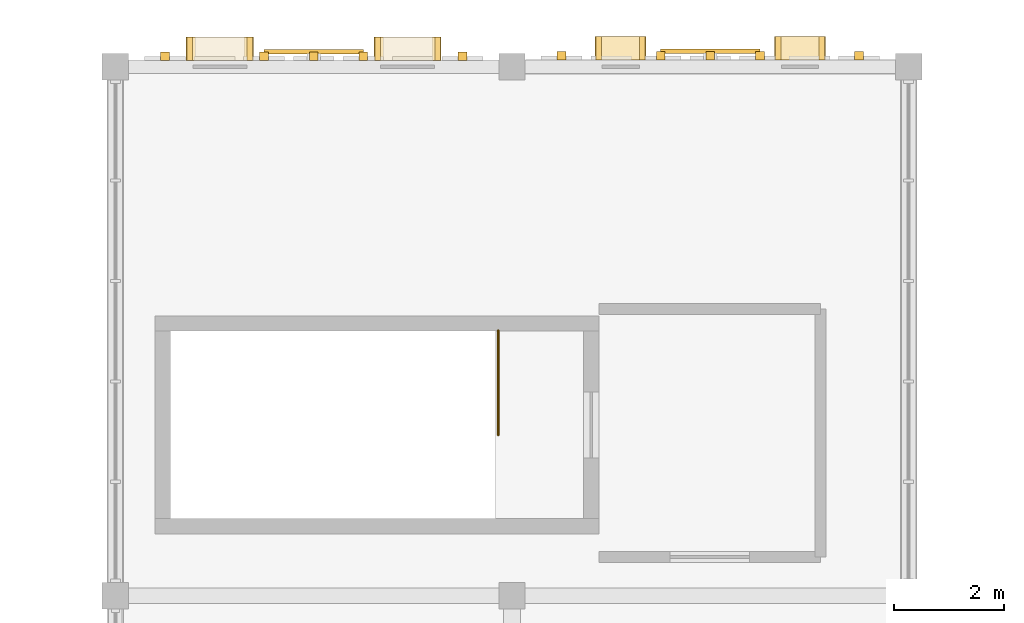
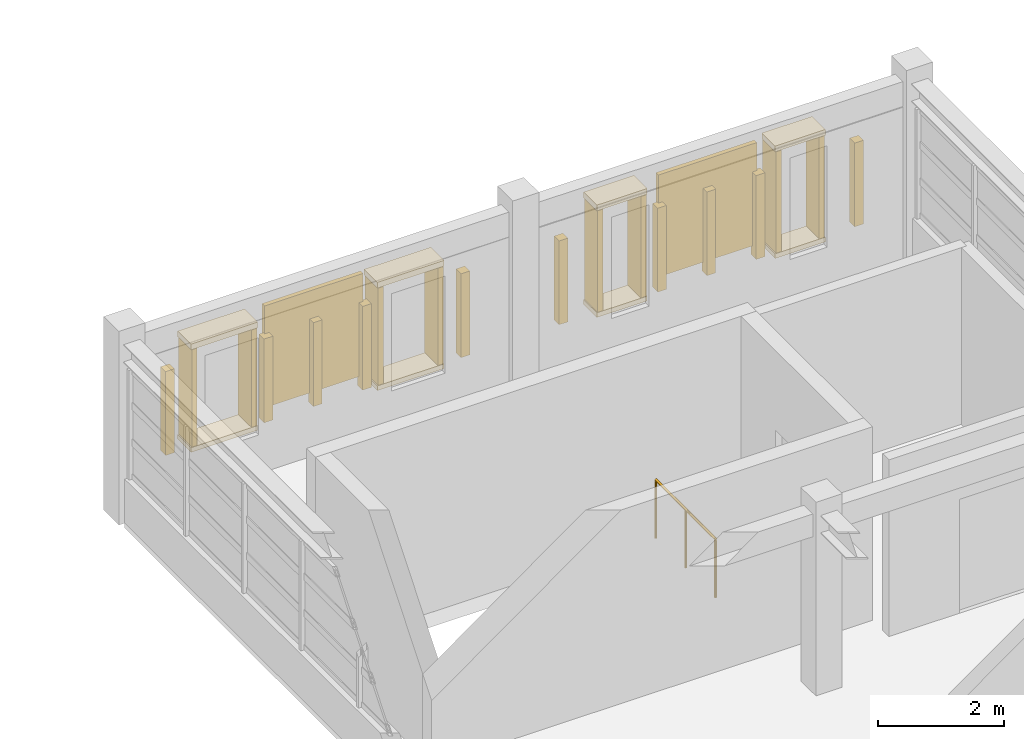
# One storey, part 45 of 53: 26 coverings, 2 shading devices, 1 railing.
"""IFC4 building model written with IfcOpenShell, lengths in metres."""

from ifc_helpers import new_model, si_unit, direction, frame, origin, origin_2d, place, context, subcontext, project, spatial, rectangle, circle, extrude, material, layer, layer_set, type_object, element, save


model = new_model("IFC4")

# Units and contexts
model_context = context("Model", 3, precision=1e-05, world=origin(), true_north=direction((0.0, 1.0)))
body_context = subcontext(model_context, "Body", "Model", "MODEL_VIEW")
ifc_project = project(units=[si_unit("LENGTHUNIT", "METRE"), si_unit("AREAUNIT", "SQUARE_METRE"), si_unit("VOLUMEUNIT", "CUBIC_METRE"), si_unit("PLANEANGLEUNIT", "RADIAN"), si_unit("MASSUNIT", "GRAM", prefix="KILO")], contexts=[model_context])

# Site, building, storey
site_placement = place(None, origin())
site = spatial("IfcSite", under=ifc_project, at=site_placement, CompositionType="ELEMENT")
building_placement = place(site_placement, origin())
building = spatial("IfcBuilding", under=site, at=building_placement, Name="Nzembalo Square Collegiate School", CompositionType="ELEMENT")
storey_placement = place(building_placement, frame((0.0, 0.0, 13.60009765625)))
storey = spatial("IfcBuildingStorey", under=building, at=storey_placement, Name="L03", CompositionType="ELEMENT", Elevation=13.60009765625)

# Coverings
ifc_material_1 = material(Name="Glazed ochre ceramic lancet rib")
ifc_layer_1 = layer(ifc_material_1, 0.159912109375, Name="Glazed ochre ceramic lancet rib")
ifc_layer_set_1 = layer_set([ifc_layer_1], Name="Glazed ochre ceramic lancet rib")
covering_type_1 = type_object("IfcCoveringType", Name="CL02", PredefinedType="CLADDING", material=ifc_layer_set_1)
for number, where, z_axis, x_axis, name in (
    (1, (77.699951171875, 114.1923828125, 0.759765625), (0.0, 0.0, 1.0), (1.0, 0.0, 0.0), "Gothic ceramic rib CL02-X0239-0"),
    (2, (79.5, 114.1923828125, 0.759765625), (0.0, 0.0, 1.0), (1.0, 0.0, 0.0), "Gothic ceramic rib CL02-X0239-2"),
    (3, (80.39990234375, 114.1923828125, 0.759765625), (0.0, 0.0, 1.0), (1.0, 0.0, 0.0), "Gothic ceramic rib CL02-X0239-3"),
    (4, (81.300048828125, 114.1923828125, 0.759765625), (0.0, 0.0, 1.0), (1.0, 0.0, 0.0), "Gothic ceramic rib CL02-X0239-4"),
    (5, (83.10009765625, 114.1923828125, 0.759765625), (0.0, 0.0, 1.0), (1.0, 0.0, 0.0), "Gothic ceramic rib CL02-X0239-6"),
    (6, (84.89990234375, 114.202392578125, 0.759765625), (0.0, 0.0, 1.0), (1.0, 0.0, 0.0), "Gothic ceramic rib CL02-X0240-0"),
    (7, (86.699951171875, 114.202392578125, 0.759765625), (0.0, 0.0, 1.0), (1.0, 0.0, 0.0), "Gothic ceramic rib CL02-X0240-2"),
    (8, (87.60009765625, 114.202392578125, 0.759765625), (0.0, 0.0, 1.0), (1.0, 0.0, 0.0), "Gothic ceramic rib CL02-X0240-3"),
    (9, (88.5, 114.202392578125, 0.759765625), (0.0, 0.0, 1.0), (1.0, 0.0, 0.0), "Gothic ceramic rib CL02-X0240-4"),
    (10, (90.300048828125, 114.202392578125, 0.759765625), (0.0, 0.0, 1.0), (1.0, 0.0, 0.0), "Gothic ceramic rib CL02-X0240-6"),
):
    element("IfcCovering", number, at=place(storey_placement, frame(where, z_axis=z_axis, x_axis=x_axis)), inside=storey, type_object=covering_type_1, Name=name, PredefinedType="CLADDING", context=body_context, shape_type="SweptSolid", body=[
        extrude(rectangle(XDim=0.159912109375, YDim=0.159912109375, at=origin_2d()), origin(), (0.0, 0.0, 1.0), 1.618896484375),
    ])
ifc_material_2 = material(Name="Glazed celadon ceramic window frame")
ifc_layer_2 = layer(ifc_material_2, 0.419921875, Name="Glazed celadon ceramic window frame")
ifc_layer_set_2 = layer_set([ifc_layer_2], Name="Glazed celadon ceramic window frame")
covering_type_2 = type_object("IfcCoveringType", Name="WF01", PredefinedType="CLADDING", material=ifc_layer_set_2)
covering_1_placement = place(storey_placement, frame((78.696044921875, 114.327392578125, 2.634765625), z_axis=(0.0, 0.0, 1.0), x_axis=(1.0, 0.0, 0.0)))
element("IfcCovering", 11, at=covering_1_placement, inside=storey, type_object=covering_type_2, Name="Deep lancet window hood WF01-0781", PredefinedType="CLADDING", context=body_context, shape_type="SweptSolid", body=[
    extrude(rectangle(XDim=1.219970703125, YDim=0.419921875, at=origin_2d()), origin(), (0.0, 0.0, 1.0), 0.110107421875),
])
covering_2_placement = place(storey_placement, frame((78.696044921875, 114.327392578125, 0.65478515625), z_axis=(0.0, 0.0, 1.0), x_axis=(1.0, 0.0, 0.0)))
element("IfcCovering", 12, at=covering_2_placement, inside=storey, type_object=covering_type_2, Name="Deep lancet window sill WF01-0781", PredefinedType="CLADDING", context=body_context, shape_type="SweptSolid", body=[
    extrude(rectangle(XDim=1.219970703125, YDim=0.419921875, at=origin_2d()), origin(), (0.0, 0.0, 1.0), 0.090087890625),
])
for number, where, z_axis, x_axis, name in (
    (13, (78.15087890625, 114.327392578125, 0.75), (0.0, 0.0, 1.0), (1.0, 0.0, 0.0), "Deep lancet window jamb WF01-0781L"),
    (14, (79.240966796875, 114.327392578125, 0.75), (0.0, 0.0, 1.0), (1.0, 0.0, 0.0), "Deep lancet window jamb WF01-0781R"),
):
    element("IfcCovering", number, at=place(storey_placement, frame(where, z_axis=z_axis, x_axis=x_axis)), inside=storey, type_object=covering_type_2, Name=name, PredefinedType="CLADDING", context=body_context, shape_type="SweptSolid", body=[
        extrude(rectangle(XDim=0.10009765625, YDim=0.419921875, at=origin_2d()), origin(), (0.0, 0.0, 1.0), 1.8798828125),
    ])
covering_3_placement = place(storey_placement, frame((82.10400390625, 114.327392578125, 2.634765625), z_axis=(0.0, 0.0, 1.0), x_axis=(1.0, 0.0, 0.0)))
element("IfcCovering", 15, at=covering_3_placement, inside=storey, type_object=covering_type_2, Name="Deep lancet window hood WF01-0782", PredefinedType="CLADDING", context=body_context, shape_type="SweptSolid", body=[
    extrude(rectangle(XDim=1.219970703125, YDim=0.419921875, at=origin_2d()), origin(), (0.0, 0.0, 1.0), 0.110107421875),
])
covering_4_placement = place(storey_placement, frame((82.10400390625, 114.327392578125, 0.65478515625), z_axis=(0.0, 0.0, 1.0), x_axis=(1.0, 0.0, 0.0)))
element("IfcCovering", 16, at=covering_4_placement, inside=storey, type_object=covering_type_2, Name="Deep lancet window sill WF01-0782", PredefinedType="CLADDING", context=body_context, shape_type="SweptSolid", body=[
    extrude(rectangle(XDim=1.219970703125, YDim=0.419921875, at=origin_2d()), origin(), (0.0, 0.0, 1.0), 0.090087890625),
])
for number, where, z_axis, x_axis, name in (
    (17, (81.55908203125, 114.327392578125, 0.75), (0.0, 0.0, 1.0), (1.0, 0.0, 0.0), "Deep lancet window jamb WF01-0782L"),
    (18, (82.64892578125, 114.327392578125, 0.75), (0.0, 0.0, 1.0), (1.0, 0.0, 0.0), "Deep lancet window jamb WF01-0782R"),
):
    element("IfcCovering", number, at=place(storey_placement, frame(where, z_axis=z_axis, x_axis=x_axis)), inside=storey, type_object=covering_type_2, Name=name, PredefinedType="CLADDING", context=body_context, shape_type="SweptSolid", body=[
        extrude(rectangle(XDim=0.10009765625, YDim=0.419921875, at=origin_2d()), origin(), (0.0, 0.0, 1.0), 1.8798828125),
    ])
covering_5_placement = place(storey_placement, frame((85.970947265625, 114.33740234375, 2.71484375), z_axis=(0.0, 0.0, 1.0), x_axis=(1.0, 0.0, 0.0)))
element("IfcCovering", 19, at=covering_5_placement, inside=storey, type_object=covering_type_2, Name="Deep lancet window hood WF01-0799", PredefinedType="CLADDING", context=body_context, shape_type="SweptSolid", body=[
    extrude(rectangle(XDim=0.919921875, YDim=0.419921875, at=origin_2d()), origin(), (0.0, 0.0, 1.0), 0.110107421875),
])
covering_6_placement = place(storey_placement, frame((85.970947265625, 114.33740234375, 0.65478515625), z_axis=(0.0, 0.0, 1.0), x_axis=(1.0, 0.0, 0.0)))
element("IfcCovering", 20, at=covering_6_placement, inside=storey, type_object=covering_type_2, Name="Deep lancet window sill WF01-0799", PredefinedType="CLADDING", context=body_context, shape_type="SweptSolid", body=[
    extrude(rectangle(XDim=0.919921875, YDim=0.419921875, at=origin_2d()), origin(), (0.0, 0.0, 1.0), 0.090087890625),
])
for number, where, z_axis, x_axis, name in (
    (21, (85.575927734375, 114.33740234375, 0.75), (0.0, 0.0, 1.0), (1.0, 0.0, 0.0), "Deep lancet window jamb WF01-0799L"),
    (22, (86.365966796875, 114.33740234375, 0.75), (0.0, 0.0, 1.0), (1.0, 0.0, 0.0), "Deep lancet window jamb WF01-0799R"),
):
    element("IfcCovering", number, at=place(storey_placement, frame(where, z_axis=z_axis, x_axis=x_axis)), inside=storey, type_object=covering_type_2, Name=name, PredefinedType="CLADDING", context=body_context, shape_type="SweptSolid", body=[
        extrude(rectangle(XDim=0.10009765625, YDim=0.419921875, at=origin_2d()), origin(), (0.0, 0.0, 1.0), 1.9599609375),
    ])
covering_7_placement = place(storey_placement, frame((89.22900390625, 114.33740234375, 2.71484375), z_axis=(0.0, 0.0, 1.0), x_axis=(1.0, 0.0, 0.0)))
element("IfcCovering", 23, at=covering_7_placement, inside=storey, type_object=covering_type_2, Name="Deep lancet window hood WF01-0800", PredefinedType="CLADDING", context=body_context, shape_type="SweptSolid", body=[
    extrude(rectangle(XDim=0.919921875, YDim=0.419921875, at=origin_2d()), origin(), (0.0, 0.0, 1.0), 0.110107421875),
])
covering_8_placement = place(storey_placement, frame((89.22900390625, 114.33740234375, 0.65478515625), z_axis=(0.0, 0.0, 1.0), x_axis=(1.0, 0.0, 0.0)))
element("IfcCovering", 24, at=covering_8_placement, inside=storey, type_object=covering_type_2, Name="Deep lancet window sill WF01-0800", PredefinedType="CLADDING", context=body_context, shape_type="SweptSolid", body=[
    extrude(rectangle(XDim=0.919921875, YDim=0.419921875, at=origin_2d()), origin(), (0.0, 0.0, 1.0), 0.090087890625),
])
for number, where, z_axis, x_axis, name in (
    (25, (88.833984375, 114.33740234375, 0.75), (0.0, 0.0, 1.0), (1.0, 0.0, 0.0), "Deep lancet window jamb WF01-0800L"),
    (26, (89.6240234375, 114.33740234375, 0.75), (0.0, 0.0, 1.0), (1.0, 0.0, 0.0), "Deep lancet window jamb WF01-0800R"),
):
    element("IfcCovering", number, at=place(storey_placement, frame(where, z_axis=z_axis, x_axis=x_axis)), inside=storey, type_object=covering_type_2, Name=name, PredefinedType="CLADDING", context=body_context, shape_type="SweptSolid", body=[
        extrude(rectangle(XDim=0.10009765625, YDim=0.419921875, at=origin_2d()), origin(), (0.0, 0.0, 1.0), 1.9599609375),
    ])

# Railing
ifc_material_3 = material(Name="Steel S355", Category="steel")
railing_type = type_object("IfcRailingType", Name="GR01", PredefinedType="GUARDRAIL", material=ifc_material_3)
railing_placement = place(storey_placement, frame((83.75, 107.320068359375, -0.005126953125)))
element("IfcRailing", 27, at=railing_placement, inside=storey, type_object=railing_type, Name="Top stairwell guard GR-C3-T1", PredefinedType="GUARDRAIL", context=body_context, shape_type="SweptSolid", body=[
    extrude(circle(Radius=0.02392578125, at=origin_2d()), frame((0.0, 0.0, 1.1259765625), z_axis=(0.0, 1.0, 0.0), x_axis=(-1.0, 0.0, 0.0)), (0.0, 0.0, 1.0), 1.889892578125),
    extrude(circle(Radius=0.02099609375, at=origin_2d()), origin(), (0.0, 0.0, 1.0), 1.101806640625),
    extrude(circle(Radius=0.02099609375, at=origin_2d()), frame((0.0, 0.94482421875, 0.0)), (0.0, 0.0, 1.0), 1.101806640625),
    extrude(circle(Radius=0.02099609375, at=origin_2d()), frame((0.0, 1.889892578125, 0.0)), (0.0, 0.0, 1.0), 1.101806640625),
])

# Shading devices
ifc_material_4 = material(Name="Glazed cobalt ceramic lancet screen")
ifc_layer_3 = layer(ifc_material_4, 0.080078125, Name="Glazed cobalt ceramic lancet screen")
ifc_layer_set_3 = layer_set([ifc_layer_3], Name="Glazed cobalt ceramic lancet screen")
shading_device_type_1 = type_object("IfcShadingDeviceType", Name="SC01", PredefinedType="USERDEFINED", material=ifc_layer_set_3)
shading_device_1_placement = place(storey_placement, frame((80.39990234375, 114.2724609375, 0.94970703125), z_axis=(0.0, 0.0, 1.0), x_axis=(1.0, 0.0, 0.0)))
element("IfcShadingDevice", 28, at=shading_device_1_placement, inside=storey, type_object=shading_device_type_1, Name="Ceramic lancet screen SC01-025", ObjectType="SCREEN", PredefinedType="USERDEFINED", context=body_context, shape_type="SweptSolid", body=[
    extrude(rectangle(XDim=1.800048828125, YDim=0.080078125, at=origin_2d()), origin(), (0.0, 0.0, 1.0), 1.968994140625),
])
ifc_material_5 = material(Name="Glazed celadon ceramic lancet screen")
ifc_layer_4 = layer(ifc_material_5, 0.080078125, Name="Glazed celadon ceramic lancet screen")
ifc_layer_set_4 = layer_set([ifc_layer_4], Name="Glazed celadon ceramic lancet screen")
shading_device_type_2 = type_object("IfcShadingDeviceType", Name="SC02", PredefinedType="USERDEFINED", material=ifc_layer_set_4)
shading_device_2_placement = place(storey_placement, frame((87.60009765625, 114.282470703125, 0.94970703125), z_axis=(0.0, 0.0, 1.0), x_axis=(1.0, 0.0, 0.0)))
element("IfcShadingDevice", 29, at=shading_device_2_placement, inside=storey, type_object=shading_device_type_2, Name="Ceramic lancet screen SC02-026", ObjectType="SCREEN", PredefinedType="USERDEFINED", context=body_context, shape_type="SweptSolid", body=[
    extrude(rectangle(XDim=1.800048828125, YDim=0.080078125, at=origin_2d()), origin(), (0.0, 0.0, 1.0), 1.968994140625),
])

save(model, "model.ifc")
